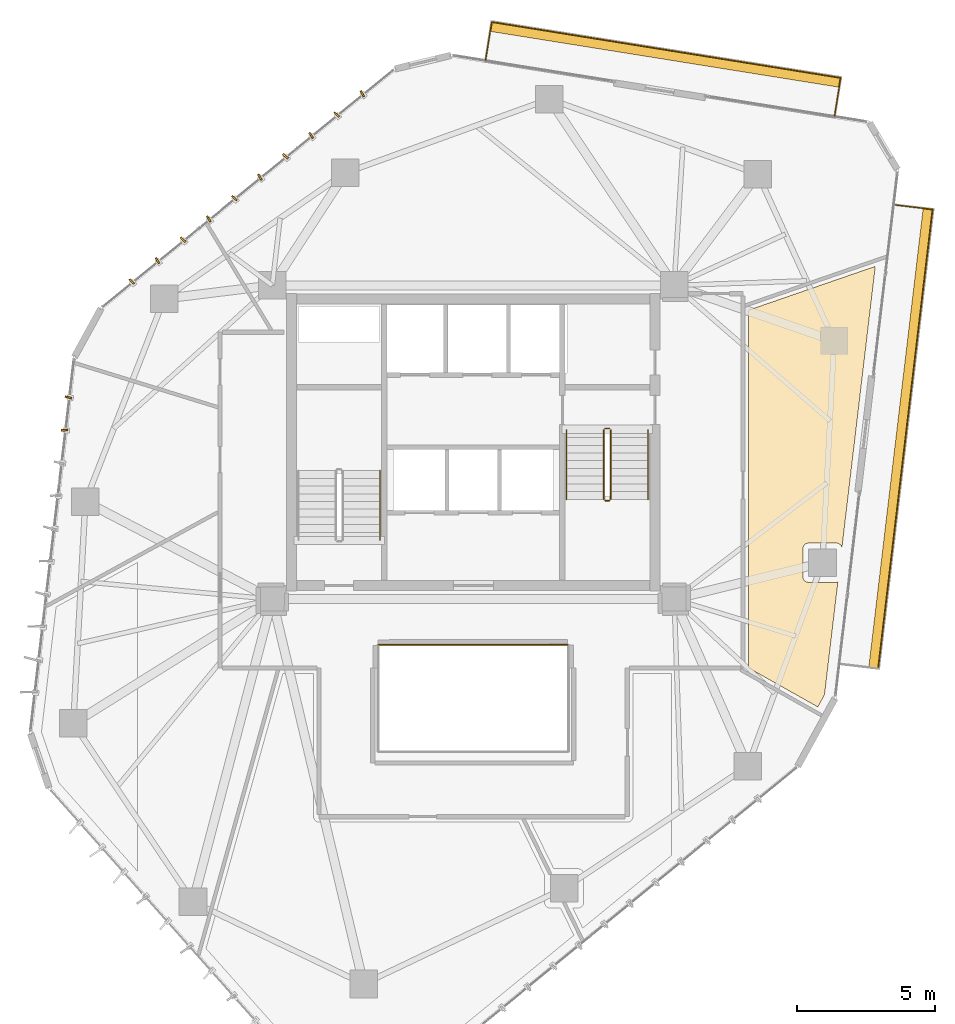
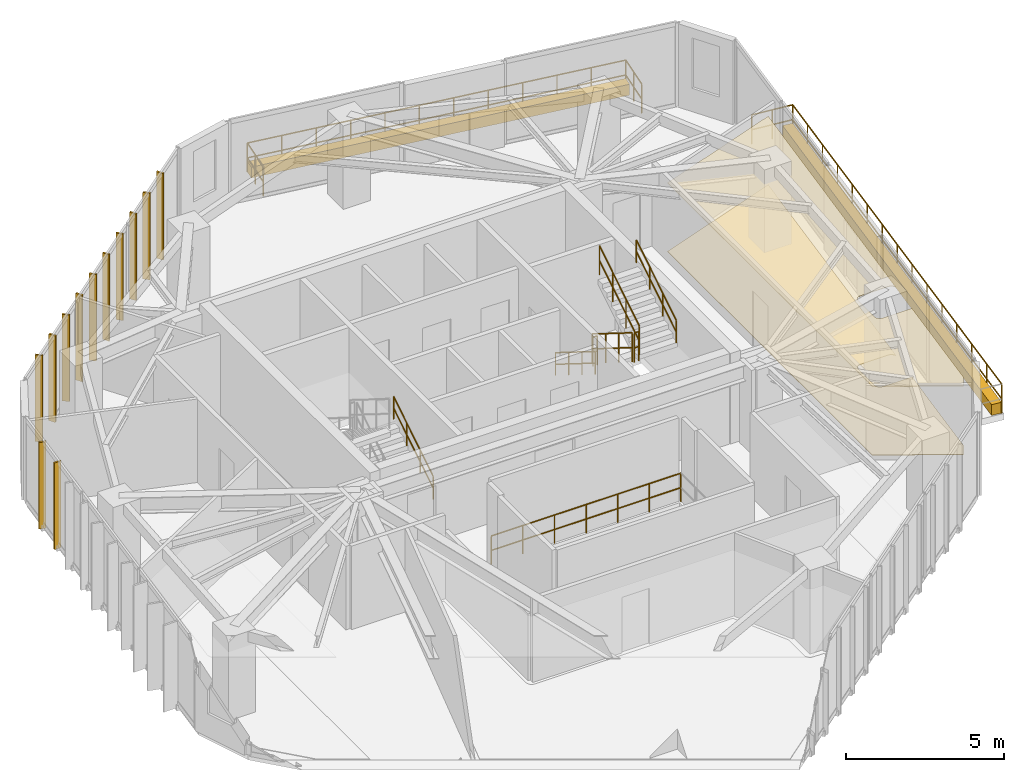
# One storey, part 22 of 22: 13 railings, 12 shading devices, 4 coverings.
"""IFC4 building model written with IfcOpenShell, lengths in metres."""

import ifcopenshell
import ifcopenshell.guid

model = None  # the IFC model being written
_history = None  # IfcOwnerHistory: only IFC2X3 demands one
_inside = {}  # id of a spatial element -> (the spatial element, [elements in it])
_under = {}  # id of a project, library or spatial element -> (it, [spatial elements below it])
_declared = {}  # id of a project -> (the project, [libraries it declares])
_typed = {}  # id of a type object -> (the type object, [elements of that type])
_made_of = {}  # id of a material, layer set ... -> (it, [elements and type objects made of it])


def new_model(schema):
    """Start an empty IFC model of exactly this schema.

    Asked for "IFC4X3", IfcOpenShell would pick the latest addendum, in which some entities
    have other attributes; the version numbers below select the first issue.
    IFC2X3 requires an IfcOwnerHistory on every rooted entity: one is made here for all.
    """
    global model, _history
    if schema == "IFC4X3":
        model = ifcopenshell.file(schema_version=(4, 3, 0, 0))
    else:
        model = ifcopenshell.file(schema=schema)
    _inside.clear()
    _under.clear()
    _declared.clear()
    _typed.clear()
    _made_of.clear()
    _history = None
    if model.schema == "IFC2X3":
        org = make("IfcOrganization", Name="unknown")
        user = make(
            "IfcPersonAndOrganization",
            ThePerson=make("IfcPerson", FamilyName="unknown"),
            TheOrganization=org,
        )
        app = make(
            "IfcApplication",
            ApplicationDeveloper=org,
            Version="unknown",
            ApplicationFullName="unknown",
            ApplicationIdentifier="unknown",
        )
        _history = make(
            "IfcOwnerHistory",
            OwningUser=user,
            OwningApplication=app,
            ChangeAction="ADDED",
            CreationDate=0,
        )
    return model


def make(cls, **values):
    """One entity of the class cls with the attributes given. An attribute that is None is left unset."""
    return model.create_entity(
        cls, **{name: value for name, value in values.items() if value is not None}
    )


def rooted(cls, **values):
    """An entity with a GlobalId (a new one), such as an element, a storey or a relation."""
    return make(cls, GlobalId=ifcopenshell.guid.new(), OwnerHistory=_history, **values)


def si_unit(unit_type, name, prefix=None):
    """IfcSIUnit, for example si_unit("LENGTHUNIT", "METRE", prefix="MILLI")."""
    return make("IfcSIUnit", UnitType=unit_type, Prefix=prefix, Name=name)


def assignment(units):
    """IfcUnitAssignment: the units of a project."""
    return None if units is None else make("IfcUnitAssignment", Units=units)


def point(xyz):
    """IfcCartesianPoint."""
    return None if xyz is None else make("IfcCartesianPoint", Coordinates=xyz)


def direction(xyz):
    """IfcDirection."""
    return None if xyz is None else make("IfcDirection", DirectionRatios=xyz)


def frame(location, z_axis=None, x_axis=None):
    """IfcAxis2Placement3D, a coordinate frame: its origin and axes. An axis left out is left unset."""
    return make(
        "IfcAxis2Placement3D",
        Location=point(location),
        Axis=direction(z_axis),
        RefDirection=direction(x_axis),
    )


def frame_2d(location, x_axis=None):
    """IfcAxis2Placement2D, a coordinate frame in the plane: its origin and x axis."""
    return make(
        "IfcAxis2Placement2D", Location=point(location), RefDirection=direction(x_axis)
    )


def origin():
    """The frame at (0, 0, 0) with its axes left unset."""
    return frame((0.0, 0.0, 0.0))


def origin_2d():
    """The frame at (0, 0) in the plane with its x axis left unset."""
    return frame_2d((0.0, 0.0))


def place(relative_to, where):
    """IfcLocalPlacement: puts the frame where relative to a parent placement (None: the world)."""
    return make(
        "IfcLocalPlacement", PlacementRelTo=relative_to, RelativePlacement=where
    )


def context(
    kind, dimensions, precision=None, world=None, true_north=None, identifier=None
):
    """IfcGeometricRepresentationContext, for example the 3D "Model" context."""
    return make(
        "IfcGeometricRepresentationContext",
        ContextIdentifier=identifier,
        ContextType=kind,
        CoordinateSpaceDimension=dimensions,
        Precision=precision,
        WorldCoordinateSystem=world,
        TrueNorth=true_north,
    )


def subcontext(parent, identifier, kind, view, scale=None):
    """IfcGeometricRepresentationSubContext, for example "Body" below "Model"."""
    return make(
        "IfcGeometricRepresentationSubContext",
        ContextIdentifier=identifier,
        ContextType=kind,
        ParentContext=parent,
        TargetScale=scale,
        TargetView=view,
    )


def project(units=None, contexts=None):
    """IfcProject with its units and contexts."""
    return rooted(
        "IfcProject",
        Name="project",
        RepresentationContexts=contexts,
        UnitsInContext=assignment(units),
    )


def spatial(cls, under=None, at=None, **own):
    """A site, building, storey or space (cls), placed at a placement, below another one or the project."""
    s = rooted(cls, ObjectPlacement=at, **own)
    if under is not None:
        _under.setdefault(under.id(), (under, []))[1].append(s)
    return s


def polyline(points):
    """IfcPolyline through the points."""
    return make("IfcPolyline", Points=[point(p) for p in points])


def profile(cls, at=None, kind="AREA", **sizes):
    """A parametric profile (cls). Its sizes go by their IFC names, for example OverallWidth=200.0."""
    return make(cls, ProfileType=kind, Position=at, **sizes)


def rectangle(**sizes):
    """IfcRectangleProfileDef."""
    return profile("IfcRectangleProfileDef", **sizes)


def circle(**sizes):
    """IfcCircleProfileDef."""
    return profile("IfcCircleProfileDef", **sizes)


def outline(outer, holes=None, kind="AREA"):
    """IfcArbitraryClosedProfileDef: a profile drawn as a closed curve; with holes, ...WithVoids."""
    if holes is None:
        return make("IfcArbitraryClosedProfileDef", ProfileType=kind, OuterCurve=outer)
    return make(
        "IfcArbitraryProfileDefWithVoids",
        ProfileType=kind,
        OuterCurve=outer,
        InnerCurves=holes,
    )


def extrude(swept, where, along, depth):
    """IfcExtrudedAreaSolid: the profile swept, set in the frame where, extruded along a direction by depth."""
    return make(
        "IfcExtrudedAreaSolid",
        SweptArea=swept,
        Position=where,
        ExtrudedDirection=direction(along),
        Depth=depth,
    )


def shape(context_of_items, identifier, shape_type, items):
    """IfcShapeRepresentation: the items that make up one representation, for example the "Body"."""
    return make(
        "IfcShapeRepresentation",
        ContextOfItems=context_of_items,
        RepresentationIdentifier=identifier,
        RepresentationType=shape_type,
        Items=items,
    )


def source(mapping_origin, context_of_items, identifier, shape_type, items):
    """IfcRepresentationMap: a shape defined once, which mapped items show again and again."""
    return make(
        "IfcRepresentationMap",
        MappingOrigin=mapping_origin,
        MappedRepresentation=shape(context_of_items, identifier, shape_type, items),
    )


def transform(
    local_origin,
    x_axis=None,
    y_axis=None,
    z_axis=None,
    scale=None,
    scale2=None,
    scale3=None,
    uniform=True,
):
    """IfcCartesianTransformationOperator3D, or its non-uniform kind. x_axis, y_axis, z_axis: its Axis1, 2, 3."""
    if uniform:
        return make(
            "IfcCartesianTransformationOperator3D",
            Axis1=direction(x_axis),
            Axis2=direction(y_axis),
            LocalOrigin=point(local_origin),
            Scale=scale,
            Axis3=direction(z_axis),
        )
    return make(
        "IfcCartesianTransformationOperator3DnonUniform",
        Axis1=direction(x_axis),
        Axis2=direction(y_axis),
        LocalOrigin=point(local_origin),
        Scale=scale,
        Axis3=direction(z_axis),
        Scale2=scale2,
        Scale3=scale3,
    )


def mapped(mapping_source, mapping_target):
    """IfcMappedItem: shows the shape of a source again, moved by a transform."""
    return make(
        "IfcMappedItem", MappingSource=mapping_source, MappingTarget=mapping_target
    )


def material(Name=None, Category=None):
    """IfcMaterial."""
    return make("IfcMaterial", Name=Name, Category=Category)


def layer(
    of_material, thickness, ventilated=None, Name=None, Category=None, Priority=None
):
    """IfcMaterialLayer: one layer of a wall or slab, of a material (None: an air gap)."""
    return make(
        "IfcMaterialLayer",
        Material=of_material,
        LayerThickness=thickness,
        IsVentilated=ventilated,
        Name=Name,
        Category=Category,
        Priority=Priority,
    )


def layer_set(layers, Name=None):
    """IfcMaterialLayerSet."""
    return make("IfcMaterialLayerSet", MaterialLayers=layers, LayerSetName=Name)


def made_of(thing, what):
    """Note that an element or type object is made of a material, layer set ...; save() writes the relation."""
    if what is not None:
        _made_of.setdefault(what.id(), (what, []))[1].append(thing)
    return thing


def type_object(cls, material=None, **own):
    """A type object (cls), such as IfcWallType, which elements share."""
    return made_of(rooted(cls, **own), material)


def type_shapes(of_type, sources):
    """Give a type object the sources (RepresentationMaps) that its elements show as mapped items."""
    of_type.RepresentationMaps = sources


def element(
    cls,
    number,
    at=None,
    inside=None,
    cuts=None,
    type_object=None,
    material=None,
    context=None,
    identifier="Body",
    shape_type=None,
    held_by="IfcProductDefinitionShape",
    body=None,
    shapes=None,
    **own,
):
    """One element of the class cls, such as IfcWall. Its Tag is "e" and its number.

    at: its placement. inside: the storey or other place that contains it. cuts: it is an
    opening in that element (IfcRelVoidsElement). A single representation is given by context,
    identifier, shape_type and body (its items); several are given by shapes. held_by: the class
    of the entity that holds the representations. save() writes the other relations.
    """
    e = rooted(cls, Tag="e%d" % number, ObjectPlacement=at, **own)
    if body is not None:
        shapes = [shape(context, identifier, shape_type, body)]
    if shapes is not None:
        e.Representation = make(held_by, Representations=shapes)
    if inside is not None:
        _inside.setdefault(inside.id(), (inside, []))[1].append(e)
    if cuts is not None:
        rooted(
            "IfcRelVoidsElement", RelatingBuildingElement=cuts, RelatedOpeningElement=e
        )
    if type_object is not None:
        _typed.setdefault(type_object.id(), (type_object, []))[1].append(e)
    return made_of(e, material)


def aggregate(whole, parts):
    """IfcRelAggregates: a whole, such as a stair, and the parts it consists of."""
    return rooted("IfcRelAggregates", RelatingObject=whole, RelatedObjects=parts)


def save(model, path):
    """Write the relations noted so far, then the file.

    IfcRelAggregates (storeys below a building ...), IfcRelContainedInSpatialStructure (elements
    in a storey), IfcRelDefinesByType, IfcRelAssociatesMaterial and IfcRelDeclares: one each for
    every whole, place, type object, material and project.
    """
    for whole, parts in _under.values():
        aggregate(whole, parts)
    for where, things in _inside.values():
        rooted(
            "IfcRelContainedInSpatialStructure",
            RelatedElements=things,
            RelatingStructure=where,
        )
    for kind, things in _typed.values():
        rooted("IfcRelDefinesByType", RelatedObjects=things, RelatingType=kind)
    for what, things in _made_of.values():
        rooted("IfcRelAssociatesMaterial", RelatedObjects=things, RelatingMaterial=what)
    for by, libraries in _declared.values():
        rooted("IfcRelDeclares", RelatingContext=by, RelatedDefinitions=libraries)
    model.write(path)


model = new_model("IFC4")

# Units and contexts
model_context = context("Model", 3, precision=1e-05, world=origin(), true_north=direction((0.0, 1.0)))
body_context = subcontext(model_context, "Body", "Model", "MODEL_VIEW")
ifc_project = project(units=[si_unit("LENGTHUNIT", "METRE"), si_unit("AREAUNIT", "SQUARE_METRE"), si_unit("VOLUMEUNIT", "CUBIC_METRE"), si_unit("PLANEANGLEUNIT", "RADIAN"), si_unit("MASSUNIT", "GRAM", prefix="KILO")], contexts=[model_context])

# Site, building, storey
site_placement = place(None, origin())
site = spatial("IfcSite", under=ifc_project, at=site_placement, CompositionType="ELEMENT")
building_placement = place(site_placement, origin())
building = spatial("IfcBuilding", under=site, at=building_placement, Name="Talar Marvaseh", CompositionType="ELEMENT")
storey_placement = place(building_placement, frame((0.0, 0.0, 229.199951171875)))
storey = spatial("IfcBuildingStorey", under=building, at=storey_placement, Name="L60", CompositionType="ELEMENT", Elevation=229.199951171875)

# Railings
ifc_material_1 = material(Name="Stainless Steel Grade 316", Category="steel")
railing_type_1 = type_object("IfcRailingType", Name="Brushed Stainless Wall Pitch Handrail 900", PredefinedType="HANDRAIL", material=ifc_material_1)
railing_1_placement = place(storey_placement, frame((22.610107421875, 27.64990234375, 0.175048828125)))
element("IfcRailing", 1, at=railing_1_placement, inside=storey, type_object=railing_type_1, Name="L60 ST-1 stair handrail 1", PredefinedType="HANDRAIL", context=body_context, shape_type="SweptSolid", body=[
    extrude(circle(Radius=0.02392578125, at=origin_2d()), frame((0.0, 0.0, 0.8759765625), z_axis=(0.0, 0.848007534815, 0.529984170421), x_axis=(-1.0, 0.0, 0.0)), (0.0, 0.0, 1.0), 2.9716796875),
    extrude(circle(Radius=0.02392578125, at=origin_2d()), frame((0.0, 0.0, 0.42578125), z_axis=(0.0, 0.848007534815, 0.529984170421), x_axis=(-1.0, 0.0, 0.0)), (0.0, 0.0, 1.0), 2.9716796875),
    extrude(circle(Radius=0.02099609375, at=origin_2d()), origin(), (0.0, 0.0, 1.0), 0.851806640625),
    extrude(circle(Radius=0.02099609375, at=origin_2d()), frame((0.0, 0.840087890625, 0.52490234375)), (0.0, 0.0, 1.0), 0.851806640625),
    extrude(circle(Radius=0.02099609375, at=origin_2d()), frame((0.0, 1.679931640625, 1.050048828125)), (0.0, 0.0, 1.0), 0.851806640625),
    extrude(circle(Radius=0.02099609375, at=origin_2d()), frame((0.0, 2.52001953125, 1.574951171875)), (0.0, 0.0, 1.0), 0.851806640625),
])
railing_2_placement = place(storey_placement, frame((29.389892578125, 31.64990234375, 0.175048828125)))
element("IfcRailing", 2, at=railing_2_placement, inside=storey, type_object=railing_type_1, Name="L60 ST-2 stair handrail 1", PredefinedType="HANDRAIL", context=body_context, shape_type="SweptSolid", body=[
    extrude(circle(Radius=0.02392578125, at=origin_2d()), frame((0.0, 0.0, 0.8759765625), z_axis=(0.0, -0.848007534815, 0.529984170421), x_axis=(1.0, 0.0, 0.0)), (0.0, 0.0, 1.0), 2.9716796875),
    extrude(circle(Radius=0.02392578125, at=origin_2d()), frame((0.0, 0.0, 0.42578125), z_axis=(0.0, -0.848007534815, 0.529984170421), x_axis=(1.0, 0.0, 0.0)), (0.0, 0.0, 1.0), 2.9716796875),
    extrude(circle(Radius=0.02099609375, at=origin_2d()), origin(), (0.0, 0.0, 1.0), 0.851806640625),
    extrude(circle(Radius=0.02099609375, at=origin_2d()), frame((0.0, -0.840087890625, 0.52490234375)), (0.0, 0.0, 1.0), 0.851806640625),
    extrude(circle(Radius=0.02099609375, at=origin_2d()), frame((0.0, -1.679931640625, 1.050048828125)), (0.0, 0.0, 1.0), 0.851806640625),
    extrude(circle(Radius=0.02099609375, at=origin_2d()), frame((0.0, -2.52001953125, 1.574951171875)), (0.0, 0.0, 1.0), 0.851806640625),
])
railing_3_placement = place(storey_placement, frame((32.35009765625, 29.1298828125, 1.925048828125)))
element("IfcRailing", 3, at=railing_3_placement, inside=storey, type_object=railing_type_1, Name="L60 ST-2 stair handrail 2", PredefinedType="HANDRAIL", context=body_context, shape_type="SweptSolid", body=[
    extrude(circle(Radius=0.02392578125, at=origin_2d()), frame((0.0, 0.0, 0.8759765625), z_axis=(0.0, 0.848007534815, 0.529984170421), x_axis=(-1.0, 0.0, 0.0)), (0.0, 0.0, 1.0), 2.9716796875),
    extrude(circle(Radius=0.02392578125, at=origin_2d()), frame((0.0, 0.0, 0.42578125), z_axis=(0.0, 0.848007534815, 0.529984170421), x_axis=(-1.0, 0.0, 0.0)), (0.0, 0.0, 1.0), 2.9716796875),
    extrude(circle(Radius=0.02099609375, at=origin_2d()), origin(), (0.0, 0.0, 1.0), 0.851806640625),
    extrude(circle(Radius=0.02099609375, at=origin_2d()), frame((0.0, 0.840087890625, 0.52490234375)), (0.0, 0.0, 1.0), 0.851806640625),
    extrude(circle(Radius=0.02099609375, at=origin_2d()), frame((0.0, 1.679931640625, 1.050048828125)), (0.0, 0.0, 1.0), 0.851806640625),
    extrude(circle(Radius=0.02099609375, at=origin_2d()), frame((0.0, 2.52001953125, 1.574951171875)), (0.0, 0.0, 1.0), 0.851806640625),
])
ifc_material_2 = material(Name="Tempered Clear Glass", Category="glass")
railing_type_2 = type_object("IfcRailingType", Name="External Laminated Glass Terrace Balustrade 1150", PredefinedType="BALUSTRADE", material=ifc_material_2)
railing_4_placement = place(storey_placement, frame((26.44921875, 45.08203125, 0.0)))
element("IfcRailing", 4, at=railing_4_placement, inside=storey, type_object=railing_type_2, Name="L60 External Terrace Balustrade 1 1", PredefinedType="BALUSTRADE", context=body_context, shape_type="SweptSolid", body=[
    extrude(circle(Radius=0.02392578125, at=origin_2d()), frame((0.0, 0.0, 1.1259765625), z_axis=(0.158105317145, 0.987422254504, 0.0), x_axis=(-0.987422254504, 0.158105317145, 0.0)), (0.0, 0.0, 1.0), 1.409912109375),
    extrude(circle(Radius=0.02392578125, at=origin_2d()), frame((0.0, 0.0, 0.55078125), z_axis=(0.158105317145, 0.987422254504, 0.0), x_axis=(-0.987422254504, 0.158105317145, 0.0)), (0.0, 0.0, 1.0), 1.409912109375),
    extrude(circle(Radius=0.02099609375, at=origin_2d()), origin(), (0.0, 0.0, 1.0), 1.101806640625),
    extrude(circle(Radius=0.02099609375, at=origin_2d()), frame((0.111328125, 0.696044921875, 0.0)), (0.0, 0.0, 1.0), 1.101806640625),
    extrude(circle(Radius=0.02099609375, at=origin_2d()), frame((0.222900390625, 1.39208984375, 0.0)), (0.0, 0.0, 1.0), 1.101806640625),
])
railing_5_placement = place(storey_placement, frame((26.672119140625, 46.47412109375, 0.0)))
element("IfcRailing", 5, at=railing_5_placement, inside=storey, type_object=railing_type_2, Name="L60 External Terrace Balustrade 1 2", PredefinedType="BALUSTRADE", context=body_context, shape_type="SweptSolid", body=[
    extrude(circle(Radius=0.02392578125, at=origin_2d()), frame((0.0, 0.0, 1.1259765625), z_axis=(0.987427219746, -0.158074304378, 0.0), x_axis=(0.158074304378, 0.987427219746, 0.0)), (0.0, 0.0, 1.0), 12.839111328125),
    extrude(circle(Radius=0.02392578125, at=origin_2d()), frame((0.0, 0.0, 0.55078125), z_axis=(0.987427219746, -0.158074304378, 0.0), x_axis=(0.158074304378, 0.987427219746, 0.0)), (0.0, 0.0, 1.0), 12.839111328125),
    extrude(circle(Radius=0.02099609375, at=origin_2d()), origin(), (0.0, 0.0, 1.0), 1.101806640625),
    extrude(circle(Radius=0.02099609375, at=origin_2d()), frame((1.152587890625, -0.1845703125, 0.0)), (0.0, 0.0, 1.0), 1.101806640625),
    extrude(circle(Radius=0.02099609375, at=origin_2d()), frame((2.304931640625, -0.368896484375, 0.0)), (0.0, 0.0, 1.0), 1.101806640625),
    extrude(circle(Radius=0.02099609375, at=origin_2d()), frame((3.45751953125, -0.553466796875, 0.0)), (0.0, 0.0, 1.0), 1.101806640625),
    extrude(circle(Radius=0.02099609375, at=origin_2d()), frame((4.610107421875, -0.738037109375, 0.0)), (0.0, 0.0, 1.0), 1.101806640625),
    extrude(circle(Radius=0.02099609375, at=origin_2d()), frame((5.7626953125, -0.922607421875, 0.0)), (0.0, 0.0, 1.0), 1.101806640625),
    extrude(circle(Radius=0.02099609375, at=origin_2d()), frame((6.9150390625, -1.10693359375, 0.0)), (0.0, 0.0, 1.0), 1.101806640625),
    extrude(circle(Radius=0.02099609375, at=origin_2d()), frame((8.067626953125, -1.29150390625, 0.0)), (0.0, 0.0, 1.0), 1.101806640625),
    extrude(circle(Radius=0.02099609375, at=origin_2d()), frame((9.22021484375, -1.47607421875, 0.0)), (0.0, 0.0, 1.0), 1.101806640625),
    extrude(circle(Radius=0.02099609375, at=origin_2d()), frame((10.372802734375, -1.66064453125, 0.0)), (0.0, 0.0, 1.0), 1.101806640625),
    extrude(circle(Radius=0.02099609375, at=origin_2d()), frame((11.525146484375, -1.844970703125, 0.0)), (0.0, 0.0, 1.0), 1.101806640625),
    extrude(circle(Radius=0.02099609375, at=origin_2d()), frame((12.677734375, -2.029541015625, 0.0)), (0.0, 0.0, 1.0), 1.101806640625),
])
railing_6_placement = place(storey_placement, frame((39.349853515625, 44.444580078125, 0.0)))
element("IfcRailing", 6, at=railing_6_placement, inside=storey, type_object=railing_type_2, Name="L60 External Terrace Balustrade 1 3", PredefinedType="BALUSTRADE", context=body_context, shape_type="SweptSolid", body=[
    extrude(circle(Radius=0.02392578125, at=origin_2d()), frame((0.0, 0.0, 1.1259765625), z_axis=(-0.158078286788, -0.987426582206, 0.0), x_axis=(0.987426582206, -0.158078286788, 0.0)), (0.0, 0.0, 1.0), 1.41015625),
    extrude(circle(Radius=0.02392578125, at=origin_2d()), frame((0.0, 0.0, 0.55078125), z_axis=(-0.158078286788, -0.987426582206, 0.0), x_axis=(0.987426582206, -0.158078286788, 0.0)), (0.0, 0.0, 1.0), 1.41015625),
    extrude(circle(Radius=0.02099609375, at=origin_2d()), origin(), (0.0, 0.0, 1.0), 1.101806640625),
    extrude(circle(Radius=0.02099609375, at=origin_2d()), frame((-0.111328125, -0.6962890625, 0.0)), (0.0, 0.0, 1.0), 1.101806640625),
    extrude(circle(Radius=0.02099609375, at=origin_2d()), frame((-0.222900390625, -1.392333984375, 0.0)), (0.0, 0.0, 1.0), 1.101806640625),
])
railing_7_placement = place(storey_placement, frame((41.294189453125, 39.826416015625, 0.0)))
element("IfcRailing", 7, at=railing_7_placement, inside=storey, type_object=railing_type_2, Name="L60 External Terrace Balustrade 2 1", PredefinedType="BALUSTRADE", context=body_context, shape_type="SweptSolid", body=[
    extrude(circle(Radius=0.02392578125, at=origin_2d()), frame((0.0, 0.0, 1.1259765625), z_axis=(0.993043817652, -0.117745387272, 0.0), x_axis=(0.117745387272, 0.993043817652, 0.0)), (0.0, 0.0, 1.0), 1.409912109375),
    extrude(circle(Radius=0.02392578125, at=origin_2d()), frame((0.0, 0.0, 0.55078125), z_axis=(0.993043817652, -0.117745387272, 0.0), x_axis=(0.117745387272, 0.993043817652, 0.0)), (0.0, 0.0, 1.0), 1.409912109375),
    extrude(circle(Radius=0.02099609375, at=origin_2d()), origin(), (0.0, 0.0, 1.0), 1.101806640625),
    extrude(circle(Radius=0.02099609375, at=origin_2d()), frame((0.7001953125, -0.0830078125, 0.0)), (0.0, 0.0, 1.0), 1.101806640625),
    extrude(circle(Radius=0.02099609375, at=origin_2d()), frame((1.400146484375, -0.166015625, 0.0)), (0.0, 0.0, 1.0), 1.101806640625),
])
railing_8_placement = place(storey_placement, frame((42.6943359375, 39.660400390625, 0.0)))
element("IfcRailing", 8, at=railing_8_placement, inside=storey, type_object=railing_type_2, Name="L60 External Terrace Balustrade 2 2", PredefinedType="BALUSTRADE", context=body_context, shape_type="SweptSolid", body=[
    extrude(circle(Radius=0.02392578125, at=origin_2d()), frame((0.0, 0.0, 1.1259765625), z_axis=(-0.117692562094, -0.993050079718, 0.0), x_axis=(0.993050079718, -0.117692562094, 0.0)), (0.0, 0.0, 1.0), 16.7880859375),
    extrude(circle(Radius=0.02392578125, at=origin_2d()), frame((0.0, 0.0, 0.55078125), z_axis=(-0.117692562094, -0.993050079718, 0.0), x_axis=(0.993050079718, -0.117692562094, 0.0)), (0.0, 0.0, 1.0), 16.7880859375),
    extrude(circle(Radius=0.02099609375, at=origin_2d()), origin(), (0.0, 0.0, 1.0), 1.101806640625),
    extrude(circle(Radius=0.02099609375, at=origin_2d()), frame((-0.14111328125, -1.19091796875, 0.0)), (0.0, 0.0, 1.0), 1.101806640625),
    extrude(circle(Radius=0.02099609375, at=origin_2d()), frame((-0.2822265625, -2.381591796875, 0.0)), (0.0, 0.0, 1.0), 1.101806640625),
    extrude(circle(Radius=0.02099609375, at=origin_2d()), frame((-0.42333984375, -3.572509765625, 0.0)), (0.0, 0.0, 1.0), 1.101806640625),
    extrude(circle(Radius=0.02099609375, at=origin_2d()), frame((-0.564453125, -4.76318359375, 0.0)), (0.0, 0.0, 1.0), 1.101806640625),
    extrude(circle(Radius=0.02099609375, at=origin_2d()), frame((-0.70556640625, -5.9541015625, 0.0)), (0.0, 0.0, 1.0), 1.101806640625),
    extrude(circle(Radius=0.02099609375, at=origin_2d()), frame((-0.8466796875, -7.144775390625, 0.0)), (0.0, 0.0, 1.0), 1.101806640625),
    extrude(circle(Radius=0.02099609375, at=origin_2d()), frame((-0.98779296875, -8.335693359375, 0.0)), (0.0, 0.0, 1.0), 1.101806640625),
    extrude(circle(Radius=0.02099609375, at=origin_2d()), frame((-1.129150390625, -9.526611328125, 0.0)), (0.0, 0.0, 1.0), 1.101806640625),
    extrude(circle(Radius=0.02099609375, at=origin_2d()), frame((-1.270263671875, -10.71728515625, 0.0)), (0.0, 0.0, 1.0), 1.101806640625),
    extrude(circle(Radius=0.02099609375, at=origin_2d()), frame((-1.411376953125, -11.908203125, 0.0)), (0.0, 0.0, 1.0), 1.101806640625),
    extrude(circle(Radius=0.02099609375, at=origin_2d()), frame((-1.552490234375, -13.098876953125, 0.0)), (0.0, 0.0, 1.0), 1.101806640625),
    extrude(circle(Radius=0.02099609375, at=origin_2d()), frame((-1.693603515625, -14.289794921875, 0.0)), (0.0, 0.0, 1.0), 1.101806640625),
    extrude(circle(Radius=0.02099609375, at=origin_2d()), frame((-1.834716796875, -15.48046875, 0.0)), (0.0, 0.0, 1.0), 1.101806640625),
    extrude(circle(Radius=0.02099609375, at=origin_2d()), frame((-1.975830078125, -16.67138671875, 0.0)), (0.0, 0.0, 1.0), 1.101806640625),
])
railing_type_3 = type_object("IfcRailingType", Name="Interior Atrium Edge Balustrade 1120", PredefinedType="BALUSTRADE", material=ifc_material_2)
railing_9_placement = place(storey_placement, frame((29.4697265625, 23.839111328125, 0.0)))
element("IfcRailing", 9, at=railing_9_placement, inside=storey, type_object=railing_type_3, Name="L60 Internal Daylight Atrium Balustrade 3", PredefinedType="BALUSTRADE", context=body_context, shape_type="SweptSolid", body=[
    extrude(circle(Radius=0.02392578125, at=origin_2d()), frame((0.0, 0.0, 1.09619140625), z_axis=(-1.0, 0.0, 0.0), x_axis=(0.0, -1.0, 0.0)), (0.0, 0.0, 1.0), 6.939453125),
    extrude(circle(Radius=0.02392578125, at=origin_2d()), frame((0.0, 0.0, 0.5361328125), z_axis=(-1.0, 0.0, 0.0), x_axis=(0.0, -1.0, 0.0)), (0.0, 0.0, 1.0), 6.939453125),
    extrude(circle(Radius=0.02099609375, at=origin_2d()), origin(), (0.0, 0.0, 1.0), 1.072021484375),
    extrude(circle(Radius=0.02099609375, at=origin_2d()), frame((-1.156494140625, 0.0, 0.0)), (0.0, 0.0, 1.0), 1.072021484375),
    extrude(circle(Radius=0.02099609375, at=origin_2d()), frame((-2.313232421875, 0.0, 0.0)), (0.0, 0.0, 1.0), 1.072021484375),
    extrude(circle(Radius=0.02099609375, at=origin_2d()), frame((-3.4697265625, 0.0, 0.0)), (0.0, 0.0, 1.0), 1.072021484375),
    extrude(circle(Radius=0.02099609375, at=origin_2d()), frame((-4.626220703125, 0.0, 0.0)), (0.0, 0.0, 1.0), 1.072021484375),
    extrude(circle(Radius=0.02099609375, at=origin_2d()), frame((-5.782958984375, 0.0, 0.0)), (0.0, 0.0, 1.0), 1.072021484375),
    extrude(circle(Radius=0.02099609375, at=origin_2d()), frame((-6.939453125, 0.0, 0.0)), (0.0, 0.0, 1.0), 1.072021484375),
])
railing_type_4 = type_object("IfcRailingType", Name="Painted Steel Core Stair Well Guardrail 1150", PredefinedType="GUARDRAIL", material=ifc_material_1)
railing_10_placement = place(storey_placement, frame((30.739990234375, 31.64990234375, 0.175048828125)))
element("IfcRailing", 10, at=railing_10_placement, inside=storey, type_object=railing_type_4, Name="L60 ST-2 stair guard 1", PredefinedType="GUARDRAIL", context=body_context, shape_type="SweptSolid", body=[
    extrude(circle(Radius=0.02392578125, at=origin_2d()), frame((0.0, 0.0, 1.1259765625), z_axis=(0.0, -0.848007534815, 0.529984170421), x_axis=(1.0, 0.0, 0.0)), (0.0, 0.0, 1.0), 2.9716796875),
    extrude(circle(Radius=0.02392578125, at=origin_2d()), frame((0.0, 0.0, 0.55078125), z_axis=(0.0, -0.848007534815, 0.529984170421), x_axis=(1.0, 0.0, 0.0)), (0.0, 0.0, 1.0), 2.9716796875),
    extrude(circle(Radius=0.02099609375, at=origin_2d()), origin(), (0.0, 0.0, 1.0), 1.101806640625),
    extrude(circle(Radius=0.02099609375, at=origin_2d()), frame((0.0, -0.840087890625, 0.52490234375)), (0.0, 0.0, 1.0), 1.101806640625),
    extrude(circle(Radius=0.02099609375, at=origin_2d()), frame((0.0, -1.679931640625, 1.050048828125)), (0.0, 0.0, 1.0), 1.101806640625),
    extrude(circle(Radius=0.02099609375, at=origin_2d()), frame((0.0, -2.52001953125, 1.574951171875)), (0.0, 0.0, 1.0), 1.101806640625),
])
railing_11_placement = place(storey_placement, frame((30.7900390625, 29.080078125, 1.75)))
element("IfcRailing", 11, at=railing_11_placement, inside=storey, type_object=railing_type_4, Name="L60 ST-2 stair guard 2", PredefinedType="GUARDRAIL", context=body_context, shape_type="SweptSolid", body=[
    extrude(circle(Radius=0.02392578125, at=origin_2d()), frame((0.0, 0.0, 1.1259765625), z_axis=(1.0, 0.0, 0.0), x_axis=(0.0, 1.0, 0.0)), (0.0, 0.0, 1.0), 0.159912109375),
    extrude(circle(Radius=0.02392578125, at=origin_2d()), frame((0.0, 0.0, 0.55078125), z_axis=(1.0, 0.0, 0.0), x_axis=(0.0, 1.0, 0.0)), (0.0, 0.0, 1.0), 0.159912109375),
    extrude(circle(Radius=0.02099609375, at=origin_2d()), origin(), (0.0, 0.0, 1.0), 1.101806640625),
    extrude(circle(Radius=0.02099609375, at=origin_2d()), frame((0.159912109375, 0.0, 0.0)), (0.0, 0.0, 1.0), 1.101806640625),
])
railing_12_placement = place(storey_placement, frame((31.0, 29.1298828125, 1.925048828125)))
element("IfcRailing", 12, at=railing_12_placement, inside=storey, type_object=railing_type_4, Name="L60 ST-2 stair guard 3", PredefinedType="GUARDRAIL", context=body_context, shape_type="SweptSolid", body=[
    extrude(circle(Radius=0.02392578125, at=origin_2d()), frame((0.0, 0.0, 1.1259765625), z_axis=(0.0, 0.848007534815, 0.529984170421), x_axis=(-1.0, 0.0, 0.0)), (0.0, 0.0, 1.0), 2.9716796875),
    extrude(circle(Radius=0.02392578125, at=origin_2d()), frame((0.0, 0.0, 0.55078125), z_axis=(0.0, 0.848007534815, 0.529984170421), x_axis=(-1.0, 0.0, 0.0)), (0.0, 0.0, 1.0), 2.9716796875),
    extrude(circle(Radius=0.02099609375, at=origin_2d()), origin(), (0.0, 0.0, 1.0), 1.101806640625),
    extrude(circle(Radius=0.02099609375, at=origin_2d()), frame((0.0, 0.840087890625, 0.52490234375)), (0.0, 0.0, 1.0), 1.101806640625),
    extrude(circle(Radius=0.02099609375, at=origin_2d()), frame((0.0, 1.679931640625, 1.050048828125)), (0.0, 0.0, 1.0), 1.101806640625),
    extrude(circle(Radius=0.02099609375, at=origin_2d()), frame((0.0, 2.52001953125, 1.574951171875)), (0.0, 0.0, 1.0), 1.101806640625),
])
railing_13_placement = place(storey_placement, frame((30.7900390625, 31.699951171875, 0.0)))
element("IfcRailing", 13, at=railing_13_placement, inside=storey, type_object=railing_type_4, Name="L60 ST-2 stair guard 4", PredefinedType="GUARDRAIL", context=body_context, shape_type="SweptSolid", body=[
    extrude(circle(Radius=0.02392578125, at=origin_2d()), frame((0.0, 0.0, 1.1259765625), z_axis=(1.0, 0.0, 0.0), x_axis=(0.0, 1.0, 0.0)), (0.0, 0.0, 1.0), 0.159912109375),
    extrude(circle(Radius=0.02392578125, at=origin_2d()), frame((0.0, 0.0, 0.55078125), z_axis=(1.0, 0.0, 0.0), x_axis=(0.0, 1.0, 0.0)), (0.0, 0.0, 1.0), 0.159912109375),
    extrude(circle(Radius=0.02099609375, at=origin_2d()), origin(), (0.0, 0.0, 1.0), 1.101806640625),
    extrude(circle(Radius=0.02099609375, at=origin_2d()), frame((0.159912109375, 0.0, 0.0)), (0.0, 0.0, 1.0), 1.101806640625),
])

# Coverings
ifc_material_3 = material(Name="Mineral Fibre Acoustic Ceiling")
ifc_layer_1 = layer(ifc_material_3, 0.02490234375)
ifc_layer_set_1 = layer_set([ifc_layer_1], Name="Mineral Fibre Acoustic Ceiling")
covering_type_1 = type_object("IfcCoveringType", Name="Perforated Mineral Fibre Acoustic Suspended Ceiling", PredefinedType="CEILING", material=ifc_layer_set_1)
covering_1_placement = place(storey_placement, frame((0.0, 0.0, 2.650146484375)))
element("IfcCovering", 14, at=covering_1_placement, inside=storey, type_object=covering_type_1, Name="L60 Registrar Mail and Post Room Acoustic Ceiling", PredefinedType="CEILING", context=body_context, shape_type="SweptSolid", body=[
    extrude(outline(polyline([(40.606201171875, 37.59033203125), (39.396240234375, 27.38037109375), (39.390380859375, 27.397705078125), (39.3828125, 27.41455078125), (39.373779296875, 27.430908203125), (39.36328125, 27.4462890625), (39.351318359375, 27.460693359375), (39.338134765625, 27.4736328125), (39.3232421875, 27.4873046875), (39.30908203125, 27.4990234375), (39.293701171875, 27.509521484375), (39.277587890625, 27.518310546875), (39.260498046875, 27.52587890625), (39.242919921875, 27.531494140625), (39.22509765625, 27.53564453125), (39.20654296875, 27.5380859375), (39.18798828125, 27.5390625), (38.177490234375, 27.53466796875), (38.157958984375, 27.53369140625), (38.138671875, 27.530517578125), (38.11962890625, 27.52587890625), (38.101318359375, 27.51904296875), (38.08349609375, 27.5107421875), (38.06689453125, 27.50048828125), (38.051025390625, 27.489013671875), (38.03662109375, 27.4755859375), (38.023681640625, 27.461181640625), (38.011962890625, 27.4453125), (38.001953125, 27.4287109375), (37.993408203125, 27.410888671875), (37.987060546875, 27.392578125), (37.982177734375, 27.37353515625), (37.9794921875, 27.35400390625), (37.978515625, 27.334716796875), (37.978515625, 26.3134765625), (37.9794921875, 26.293701171875), (37.982177734375, 26.2744140625), (37.987060546875, 26.25537109375), (37.99365234375, 26.23681640625), (38.001953125, 26.218994140625), (38.01220703125, 26.202392578125), (38.023681640625, 26.1865234375), (38.037109375, 26.172119140625), (38.051513671875, 26.15869140625), (38.0673828125, 26.147216796875), (38.083984375, 26.136962890625), (38.101806640625, 26.128662109375), (38.120361328125, 26.1220703125), (38.139404296875, 26.1171875), (38.15869140625, 26.114501953125), (38.178466796875, 26.11328125), (39.19970703125, 26.11328125), (39.21923828125, 26.114501953125), (39.238525390625, 26.1171875), (39.246826171875, 26.119384765625), (38.761962890625, 22.02880859375), (38.518798828125, 21.585693359375), (36.0, 23.0029296875), (36.0, 35.99951171875), (40.606201171875, 37.59033203125)])), origin(), (0.0, 0.0, 1.0), 0.02490234375),
])
ifc_material_4 = material(Name="Planted Terrace Vegetated Substrate")
ifc_layer_2 = layer(ifc_material_4, 0.39990234375)
ifc_layer_set_2 = layer_set([ifc_layer_2], Name="Planted Terrace Vegetated Substrate")
covering_type_2 = type_object("IfcCoveringType", Name="Planted Terrace Soil Planter Box Cladding", PredefinedType="CLADDING", material=ifc_layer_set_2)
covering_2_placement = place(storey_placement, origin())
element("IfcCovering", 15, at=covering_2_placement, inside=storey, type_object=covering_type_2, Name="L60 Balcony Structural Planter 1", PredefinedType="CLADDING", context=body_context, shape_type="SweptSolid", body=[
    extrude(outline(polyline([(26.672119140625, 46.47412109375), (39.349853515625, 44.444580078125), (39.29443359375, 44.098876953125), (26.61669921875, 46.128662109375), (26.672119140625, 46.47412109375)])), origin(), (0.0, 0.0, 1.0), 0.420166015625),
])
covering_3_placement = place(storey_placement, origin())
element("IfcCovering", 16, at=covering_3_placement, inside=storey, type_object=covering_type_2, Name="L60 Balcony Structural Planter 2", PredefinedType="CLADDING", context=body_context, shape_type="SweptSolid", body=[
    extrude(outline(polyline([(42.6943359375, 39.660400390625), (40.718505859375, 22.989013671875), (40.37109375, 23.0302734375), (42.346923828125, 39.70166015625), (42.6943359375, 39.660400390625)])), origin(), (0.0, 0.0, 1.0), 0.420166015625),
])
ifc_material_5 = material(Name="Porcelain Stoneware Tile", Category="masonry")
ifc_layer_3 = layer(ifc_material_5, 0.02001953125)
ifc_layer_set_3 = layer_set([ifc_layer_3], Name="Porcelain Stoneware Tile")
covering_type_3 = type_object("IfcCoveringType", Name="Polished Porcelain Stoneware Gallery Flooring", PredefinedType="FLOORING", material=ifc_layer_set_3)
covering_4_placement = place(storey_placement, origin())
element("IfcCovering", 17, at=covering_4_placement, inside=storey, type_object=covering_type_3, Name="L60 Registrar Mail and Post Room Flooring", PredefinedType="FLOORING", context=body_context, shape_type="SweptSolid", body=[
    extrude(outline(polyline([(40.606201171875, 37.59033203125), (39.396240234375, 27.38037109375), (39.390380859375, 27.397705078125), (39.3828125, 27.41455078125), (39.373779296875, 27.430908203125), (39.36328125, 27.4462890625), (39.351318359375, 27.460693359375), (39.338134765625, 27.4736328125), (39.3232421875, 27.4873046875), (39.30908203125, 27.4990234375), (39.293701171875, 27.509521484375), (39.277587890625, 27.518310546875), (39.260498046875, 27.52587890625), (39.242919921875, 27.531494140625), (39.22509765625, 27.53564453125), (39.20654296875, 27.5380859375), (39.18798828125, 27.5390625), (38.177490234375, 27.53466796875), (38.157958984375, 27.53369140625), (38.138671875, 27.530517578125), (38.11962890625, 27.52587890625), (38.101318359375, 27.51904296875), (38.08349609375, 27.5107421875), (38.06689453125, 27.50048828125), (38.051025390625, 27.489013671875), (38.03662109375, 27.4755859375), (38.023681640625, 27.461181640625), (38.011962890625, 27.4453125), (38.001953125, 27.4287109375), (37.993408203125, 27.410888671875), (37.987060546875, 27.392578125), (37.982177734375, 27.37353515625), (37.9794921875, 27.35400390625), (37.978515625, 27.334716796875), (37.978515625, 26.3134765625), (37.9794921875, 26.293701171875), (37.982177734375, 26.2744140625), (37.987060546875, 26.25537109375), (37.99365234375, 26.23681640625), (38.001953125, 26.218994140625), (38.01220703125, 26.202392578125), (38.023681640625, 26.1865234375), (38.037109375, 26.172119140625), (38.051513671875, 26.15869140625), (38.0673828125, 26.147216796875), (38.083984375, 26.136962890625), (38.101806640625, 26.128662109375), (38.120361328125, 26.1220703125), (38.139404296875, 26.1171875), (38.15869140625, 26.114501953125), (38.178466796875, 26.11328125), (39.19970703125, 26.11328125), (39.21923828125, 26.114501953125), (39.238525390625, 26.1171875), (39.246826171875, 26.119384765625), (38.761962890625, 22.02880859375), (38.518798828125, 21.585693359375), (36.0, 23.0029296875), (36.0, 35.99951171875), (40.606201171875, 37.59033203125)])), origin(), (0.0, 0.0, 1.0), 0.02001953125),
])

# Shading devices
ifc_material_6 = material(Name="Anodised Champagne Bronze Aluminium", Category="aluminium")
ifc_layer_4 = layer(ifc_material_6, 0.06494140625)
ifc_layer_set_4 = layer_set([ifc_layer_4], Name="Anodised Champagne Bronze Aluminium")
shading_device_type = type_object("IfcShadingDeviceType", Name="Sawtooth Champagne Bronze Vertical Fin 240", PredefinedType="USERDEFINED", material=ifc_layer_set_4)
shared_shape = source(origin(), body_context, "Body", "SweptSolid", [
    extrude(rectangle(XDim=0.239990234375, YDim=0.06494140625, at=origin_2d()), origin(), (0.0, 0.0, 1.0), 3.35009765625),
])
type_shapes(shading_device_type, [shared_shape])
for number, where, z_axis, x_axis, name in (
    (18, (11.150634765625, 31.641357421875, -0.1201171875), (0.0, 0.0, 1.0), (-0.999734629042, -0.023036308188, 0.0), "L60 Sawtooth Vertical Solar Fin"),
    (19, (11.290283203125, 32.833251953125, -0.1201171875), (0.0, 0.0, 1.0), (-0.967356272077, 0.253420288991, 0.0), "L60 Sawtooth Vertical Solar Fin"),
    (20, (13.598388671875, 37.04052734375, -0.1201171875), (0.0, 0.0, 1.0), (-0.73349265005, 0.679697382901, 0.0), "L60 Sawtooth Vertical Solar Fin"),
    (21, (14.528564453125, 37.798583984375, -0.1201171875), (0.0, 0.0, 1.0), (-0.517728399366, 0.855545033584, 0.0), "L60 Sawtooth Vertical Solar Fin"),
    (22, (15.458740234375, 38.556884765625, -0.1201171875), (0.0, 0.0, 1.0), (-0.73349265005, 0.679697382901, 0.0), "L60 Sawtooth Vertical Solar Fin"),
    (23, (16.388916015625, 39.31494140625, -0.1201171875), (0.0, 0.0, 1.0), (-0.517728399366, 0.855545033584, 0.0), "L60 Sawtooth Vertical Solar Fin"),
    (24, (17.319091796875, 40.0732421875, -0.1201171875), (0.0, 0.0, 1.0), (-0.73349265005, 0.679697382901, 0.0), "L60 Sawtooth Vertical Solar Fin"),
    (25, (18.249267578125, 40.831298828125, -0.1201171875), (0.0, 0.0, 1.0), (-0.517728399366, 0.855545033584, 0.0), "L60 Sawtooth Vertical Solar Fin"),
    (26, (19.179443359375, 41.589599609375, -0.1201171875), (0.0, 0.0, 1.0), (-0.73349265005, 0.679697382901, 0.0), "L60 Sawtooth Vertical Solar Fin"),
    (27, (20.109619140625, 42.34765625, -0.1201171875), (0.0, 0.0, 1.0), (-0.517728399366, 0.855545033584, 0.0), "L60 Sawtooth Vertical Solar Fin"),
    (28, (21.039794921875, 43.105712890625, -0.1201171875), (0.0, 0.0, 1.0), (-0.73349265005, 0.679697382901, 0.0), "L60 Sawtooth Vertical Solar Fin"),
    (29, (21.969970703125, 43.864013671875, -0.1201171875), (0.0, 0.0, 1.0), (-0.517728399366, 0.855545033584, 0.0), "L60 Sawtooth Vertical Solar Fin"),
):
    element("IfcShadingDevice", number, at=place(storey_placement, frame(where, z_axis=z_axis, x_axis=x_axis)), inside=storey, type_object=shading_device_type, Name=name, ObjectType="FIN", PredefinedType="USERDEFINED", context=body_context, shape_type="MappedRepresentation", body=[
        mapped(shared_shape, transform((0.0, 0.0, 0.0), x_axis=(1.0, 0.0, 0.0), y_axis=(0.0, 1.0, 0.0), z_axis=(0.0, 0.0, 1.0), scale=1.0)),
    ])

save(model, "model.ifc")
